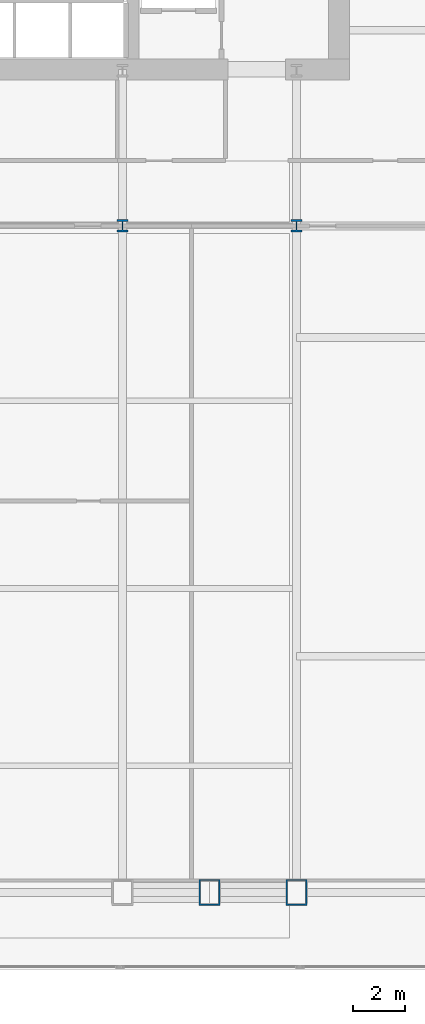
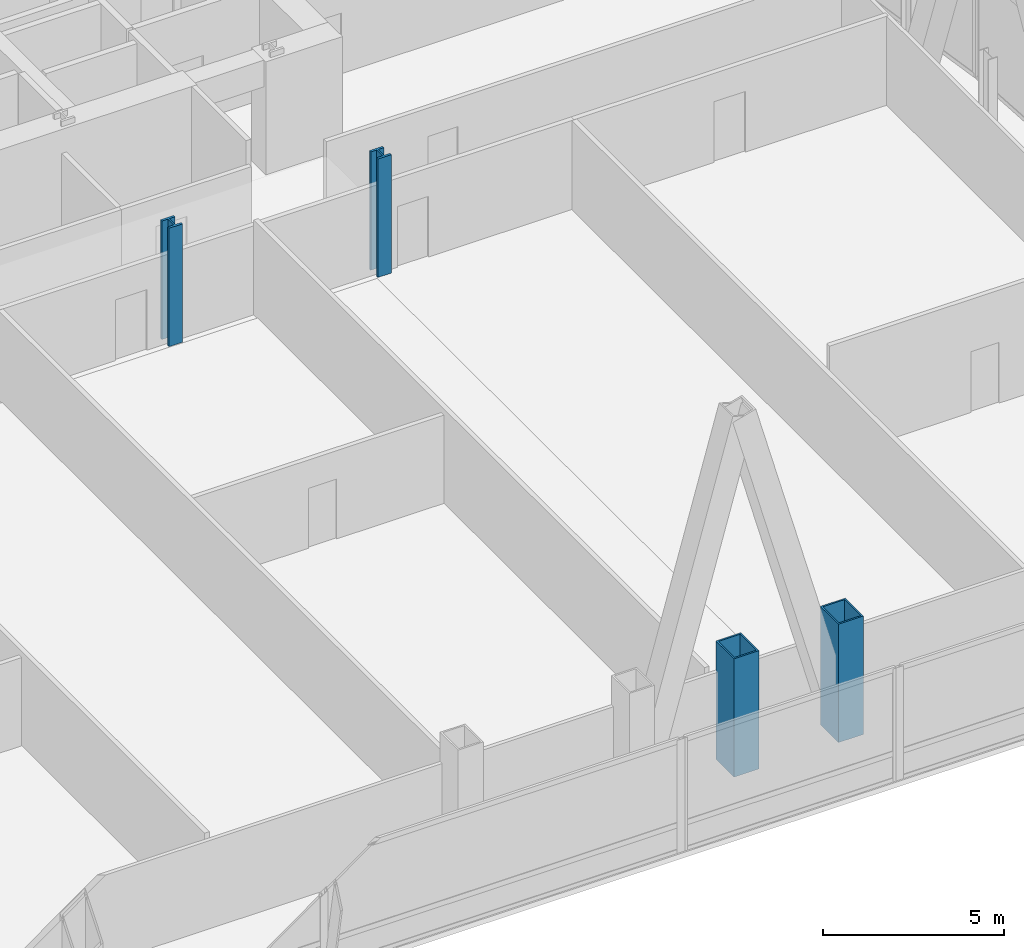
# One storey, part 2 of 37: 4 columns.
"""IFC4 building model written with IfcOpenShell, lengths in metres."""

from ifc_helpers import new_model, si_unit, direction, frame, origin, origin_2d, place, context, subcontext, project, spatial, hollow_rectangle, i_section, extrude, material, material_profile, profile_set, type_object, element, save


model = new_model("IFC4")

# Units and contexts
model_context = context("Model", 3, precision=1e-05, world=origin(), true_north=direction((0.0, 1.0)))
body_context = subcontext(model_context, "Body", "Model", "MODEL_VIEW")
ifc_project = project(units=[si_unit("LENGTHUNIT", "METRE"), si_unit("AREAUNIT", "SQUARE_METRE"), si_unit("VOLUMEUNIT", "CUBIC_METRE"), si_unit("PLANEANGLEUNIT", "RADIAN"), si_unit("MASSUNIT", "GRAM", prefix="KILO")], contexts=[model_context])

# Site, building, storey
site_placement = place(None, origin())
site = spatial("IfcSite", under=ifc_project, at=site_placement, CompositionType="ELEMENT")
building_placement = place(site_placement, origin())
building = spatial("IfcBuilding", under=site, at=building_placement, Name="Khoronbel Lancet Exchange", CompositionType="ELEMENT")
storey_placement = place(building_placement, frame((0.0, 0.0, 61.800048828125)))
storey = spatial("IfcBuildingStorey", under=building, at=storey_placement, Name="L14", CompositionType="ELEMENT", Elevation=61.800048828125)

# Columns
ifc_material = material(Name="Steel S460", Category="steel")
ifc_material_profile_1 = material_profile(ifc_material, hollow_rectangle(XDim=0.800048828125, YDim=1.0, WallThickness=0.054931640625, at=origin_2d()), Name="BOX 1000x800x55")
ifc_profile_set_1 = profile_set([ifc_material_profile_1], Name="Steel S460")
column_type_1 = type_object("IfcColumnType", Name="COL-EC1", PredefinedType="COLUMN", material=ifc_profile_set_1)
for number, where, z_axis, x_axis, name in (
    (1, (51.33740234375, 10.14990234375, 0.0), (0.0, 0.0, 1.0), (1.0, 0.0, 0.0), "Structural column SC-EM L14"),
    (2, (54.675048828125, 10.14990234375, 0.0), (0.0, 0.0, 1.0), (1.0, 0.0, 0.0), "Structural column SC-E2 L14"),
):
    element("IfcColumn", number, at=place(storey_placement, frame(where, z_axis=z_axis, x_axis=x_axis)), inside=storey, type_object=column_type_1, Name=name, PredefinedType="COLUMN", context=body_context, shape_type="SweptSolid", body=[
        extrude(hollow_rectangle(XDim=0.800048828125, YDim=1.0, WallThickness=0.054931640625, at=origin_2d()), origin(), (0.0, 0.0, 1.0), 4.0),
    ])
ifc_material_profile_2 = material_profile(ifc_material, i_section(OverallWidth=0.424072265625, OverallDepth=0.47412109375, WebThickness=0.047607421875, FlangeThickness=0.076904296875, at=origin_2d()), Name="HD 400x634")
ifc_profile_set_2 = profile_set([ifc_material_profile_2], Name="Steel S460")
column_type_2 = type_object("IfcColumnType", Name="COL-IC1", PredefinedType="COLUMN", material=ifc_profile_set_2)
for number, where, z_axis, x_axis, name in (
    (3, (48.0, 35.699951171875, 0.0), (0.0, 0.0, 1.0), (1.0, 0.0, 0.0), "Spine gravity column TC3 L14"),
    (4, (54.675048828125, 35.699951171875, 0.0), (0.0, 0.0, 1.0), (1.0, 0.0, 0.0), "Spine gravity column TC4 L14"),
):
    element("IfcColumn", number, at=place(storey_placement, frame(where, z_axis=z_axis, x_axis=x_axis)), inside=storey, type_object=column_type_2, Name=name, PredefinedType="COLUMN", context=body_context, shape_type="SweptSolid", body=[
        extrude(i_section(OverallWidth=0.424072265625, OverallDepth=0.47412109375, WebThickness=0.047607421875, FlangeThickness=0.076904296875, at=origin_2d()), origin(), (0.0, 0.0, 1.0), 4.0),
    ])

save(model, "model.ifc")
